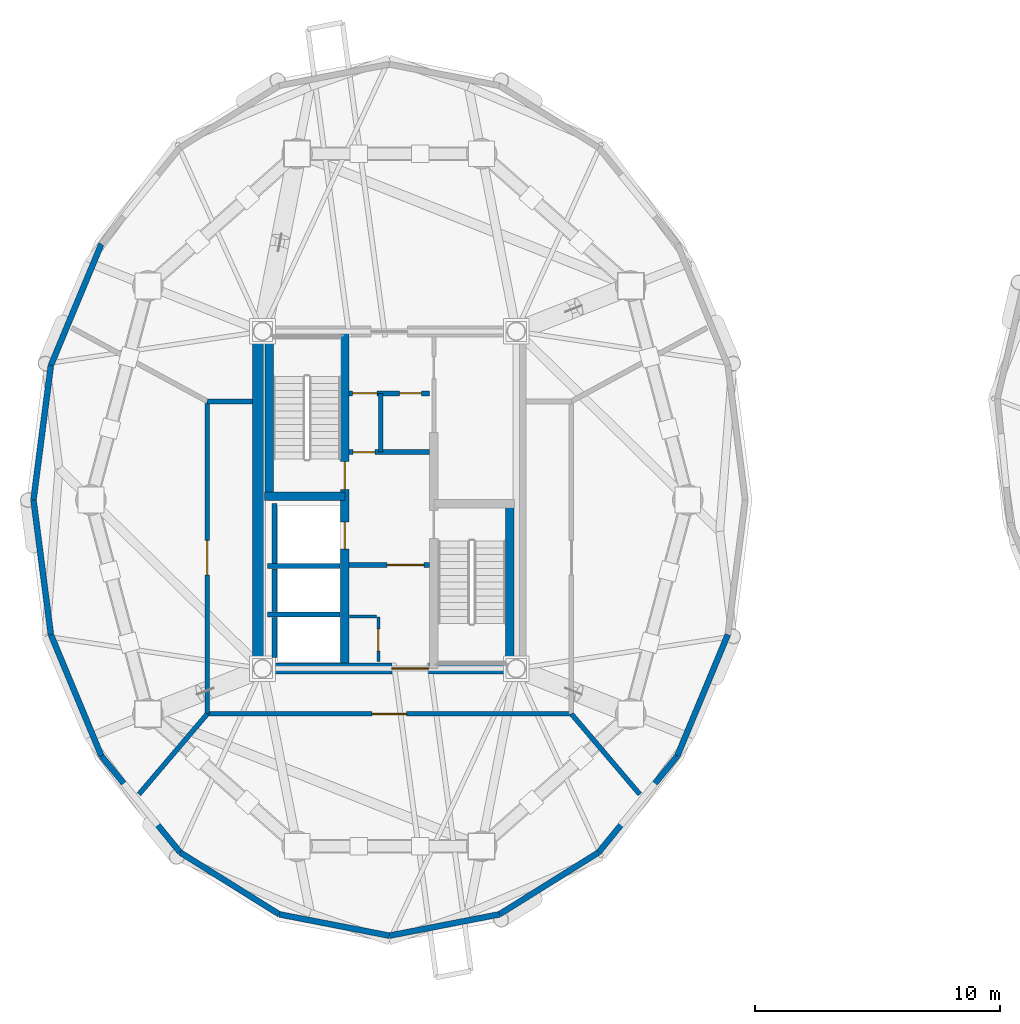
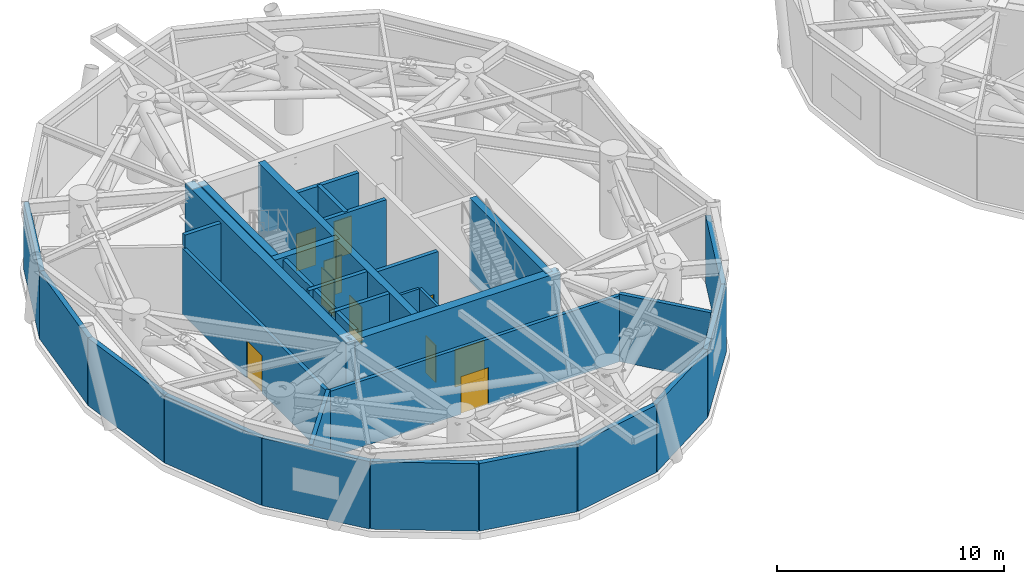
# One storey, part 10 of 16: 33 walls, 10 doors, 10 openings.
"""IFC4 building model written with IfcOpenShell, lengths in metres."""

import ifcopenshell
import ifcopenshell.guid

model = None  # the IFC model being written
_history = None  # IfcOwnerHistory: only IFC2X3 demands one
_inside = {}  # id of a spatial element -> (the spatial element, [elements in it])
_under = {}  # id of a project, library or spatial element -> (it, [spatial elements below it])
_declared = {}  # id of a project -> (the project, [libraries it declares])
_typed = {}  # id of a type object -> (the type object, [elements of that type])
_made_of = {}  # id of a material, layer set ... -> (it, [elements and type objects made of it])


def new_model(schema):
    """Start an empty IFC model of exactly this schema.

    Asked for "IFC4X3", IfcOpenShell would pick the latest addendum, in which some entities
    have other attributes; the version numbers below select the first issue.
    IFC2X3 requires an IfcOwnerHistory on every rooted entity: one is made here for all.
    """
    global model, _history
    if schema == "IFC4X3":
        model = ifcopenshell.file(schema_version=(4, 3, 0, 0))
    else:
        model = ifcopenshell.file(schema=schema)
    _inside.clear()
    _under.clear()
    _declared.clear()
    _typed.clear()
    _made_of.clear()
    _history = None
    if model.schema == "IFC2X3":
        org = make("IfcOrganization", Name="unknown")
        user = make(
            "IfcPersonAndOrganization",
            ThePerson=make("IfcPerson", FamilyName="unknown"),
            TheOrganization=org,
        )
        app = make(
            "IfcApplication",
            ApplicationDeveloper=org,
            Version="unknown",
            ApplicationFullName="unknown",
            ApplicationIdentifier="unknown",
        )
        _history = make(
            "IfcOwnerHistory",
            OwningUser=user,
            OwningApplication=app,
            ChangeAction="ADDED",
            CreationDate=0,
        )
    return model


def make(cls, **values):
    """One entity of the class cls with the attributes given. An attribute that is None is left unset."""
    return model.create_entity(
        cls, **{name: value for name, value in values.items() if value is not None}
    )


def rooted(cls, **values):
    """An entity with a GlobalId (a new one), such as an element, a storey or a relation."""
    return make(cls, GlobalId=ifcopenshell.guid.new(), OwnerHistory=_history, **values)


def si_unit(unit_type, name, prefix=None):
    """IfcSIUnit, for example si_unit("LENGTHUNIT", "METRE", prefix="MILLI")."""
    return make("IfcSIUnit", UnitType=unit_type, Prefix=prefix, Name=name)


def assignment(units):
    """IfcUnitAssignment: the units of a project."""
    return None if units is None else make("IfcUnitAssignment", Units=units)


def point(xyz):
    """IfcCartesianPoint."""
    return None if xyz is None else make("IfcCartesianPoint", Coordinates=xyz)


def direction(xyz):
    """IfcDirection."""
    return None if xyz is None else make("IfcDirection", DirectionRatios=xyz)


def frame(location, z_axis=None, x_axis=None):
    """IfcAxis2Placement3D, a coordinate frame: its origin and axes. An axis left out is left unset."""
    return make(
        "IfcAxis2Placement3D",
        Location=point(location),
        Axis=direction(z_axis),
        RefDirection=direction(x_axis),
    )


def frame_2d(location, x_axis=None):
    """IfcAxis2Placement2D, a coordinate frame in the plane: its origin and x axis."""
    return make(
        "IfcAxis2Placement2D", Location=point(location), RefDirection=direction(x_axis)
    )


def origin():
    """The frame at (0, 0, 0) with its axes left unset."""
    return frame((0.0, 0.0, 0.0))


def place(relative_to, where):
    """IfcLocalPlacement: puts the frame where relative to a parent placement (None: the world)."""
    return make(
        "IfcLocalPlacement", PlacementRelTo=relative_to, RelativePlacement=where
    )


def context(
    kind, dimensions, precision=None, world=None, true_north=None, identifier=None
):
    """IfcGeometricRepresentationContext, for example the 3D "Model" context."""
    return make(
        "IfcGeometricRepresentationContext",
        ContextIdentifier=identifier,
        ContextType=kind,
        CoordinateSpaceDimension=dimensions,
        Precision=precision,
        WorldCoordinateSystem=world,
        TrueNorth=true_north,
    )


def subcontext(parent, identifier, kind, view, scale=None):
    """IfcGeometricRepresentationSubContext, for example "Body" below "Model"."""
    return make(
        "IfcGeometricRepresentationSubContext",
        ContextIdentifier=identifier,
        ContextType=kind,
        ParentContext=parent,
        TargetScale=scale,
        TargetView=view,
    )


def project(units=None, contexts=None):
    """IfcProject with its units and contexts."""
    return rooted(
        "IfcProject",
        Name="project",
        RepresentationContexts=contexts,
        UnitsInContext=assignment(units),
    )


def spatial(cls, under=None, at=None, **own):
    """A site, building, storey or space (cls), placed at a placement, below another one or the project."""
    s = rooted(cls, ObjectPlacement=at, **own)
    if under is not None:
        _under.setdefault(under.id(), (under, []))[1].append(s)
    return s


def profile(cls, at=None, kind="AREA", **sizes):
    """A parametric profile (cls). Its sizes go by their IFC names, for example OverallWidth=200.0."""
    return make(cls, ProfileType=kind, Position=at, **sizes)


def rectangle(**sizes):
    """IfcRectangleProfileDef."""
    return profile("IfcRectangleProfileDef", **sizes)


def extrude(swept, where, along, depth):
    """IfcExtrudedAreaSolid: the profile swept, set in the frame where, extruded along a direction by depth."""
    return make(
        "IfcExtrudedAreaSolid",
        SweptArea=swept,
        Position=where,
        ExtrudedDirection=direction(along),
        Depth=depth,
    )


def shape(context_of_items, identifier, shape_type, items):
    """IfcShapeRepresentation: the items that make up one representation, for example the "Body"."""
    return make(
        "IfcShapeRepresentation",
        ContextOfItems=context_of_items,
        RepresentationIdentifier=identifier,
        RepresentationType=shape_type,
        Items=items,
    )


def source(mapping_origin, context_of_items, identifier, shape_type, items):
    """IfcRepresentationMap: a shape defined once, which mapped items show again and again."""
    return make(
        "IfcRepresentationMap",
        MappingOrigin=mapping_origin,
        MappedRepresentation=shape(context_of_items, identifier, shape_type, items),
    )


def transform(
    local_origin,
    x_axis=None,
    y_axis=None,
    z_axis=None,
    scale=None,
    scale2=None,
    scale3=None,
    uniform=True,
):
    """IfcCartesianTransformationOperator3D, or its non-uniform kind. x_axis, y_axis, z_axis: its Axis1, 2, 3."""
    if uniform:
        return make(
            "IfcCartesianTransformationOperator3D",
            Axis1=direction(x_axis),
            Axis2=direction(y_axis),
            LocalOrigin=point(local_origin),
            Scale=scale,
            Axis3=direction(z_axis),
        )
    return make(
        "IfcCartesianTransformationOperator3DnonUniform",
        Axis1=direction(x_axis),
        Axis2=direction(y_axis),
        LocalOrigin=point(local_origin),
        Scale=scale,
        Axis3=direction(z_axis),
        Scale2=scale2,
        Scale3=scale3,
    )


def mapped(mapping_source, mapping_target):
    """IfcMappedItem: shows the shape of a source again, moved by a transform."""
    return make(
        "IfcMappedItem", MappingSource=mapping_source, MappingTarget=mapping_target
    )


def material(Name=None, Category=None):
    """IfcMaterial."""
    return make("IfcMaterial", Name=Name, Category=Category)


def layer(
    of_material, thickness, ventilated=None, Name=None, Category=None, Priority=None
):
    """IfcMaterialLayer: one layer of a wall or slab, of a material (None: an air gap)."""
    return make(
        "IfcMaterialLayer",
        Material=of_material,
        LayerThickness=thickness,
        IsVentilated=ventilated,
        Name=Name,
        Category=Category,
        Priority=Priority,
    )


def layer_set(layers, Name=None):
    """IfcMaterialLayerSet."""
    return make("IfcMaterialLayerSet", MaterialLayers=layers, LayerSetName=Name)


def made_of(thing, what):
    """Note that an element or type object is made of a material, layer set ...; save() writes the relation."""
    if what is not None:
        _made_of.setdefault(what.id(), (what, []))[1].append(thing)
    return thing


def type_object(cls, material=None, **own):
    """A type object (cls), such as IfcWallType, which elements share."""
    return made_of(rooted(cls, **own), material)


def element(
    cls,
    number,
    at=None,
    inside=None,
    cuts=None,
    type_object=None,
    material=None,
    context=None,
    identifier="Body",
    shape_type=None,
    held_by="IfcProductDefinitionShape",
    body=None,
    shapes=None,
    **own,
):
    """One element of the class cls, such as IfcWall. Its Tag is "e" and its number.

    at: its placement. inside: the storey or other place that contains it. cuts: it is an
    opening in that element (IfcRelVoidsElement). A single representation is given by context,
    identifier, shape_type and body (its items); several are given by shapes. held_by: the class
    of the entity that holds the representations. save() writes the other relations.
    """
    e = rooted(cls, Tag="e%d" % number, ObjectPlacement=at, **own)
    if body is not None:
        shapes = [shape(context, identifier, shape_type, body)]
    if shapes is not None:
        e.Representation = make(held_by, Representations=shapes)
    if inside is not None:
        _inside.setdefault(inside.id(), (inside, []))[1].append(e)
    if cuts is not None:
        rooted(
            "IfcRelVoidsElement", RelatingBuildingElement=cuts, RelatedOpeningElement=e
        )
    if type_object is not None:
        _typed.setdefault(type_object.id(), (type_object, []))[1].append(e)
    return made_of(e, material)


def fill(opening, filler):
    """IfcRelFillsElement: the door or window that sits in an opening."""
    return rooted(
        "IfcRelFillsElement",
        RelatingOpeningElement=opening,
        RelatedBuildingElement=filler,
    )


def aggregate(whole, parts):
    """IfcRelAggregates: a whole, such as a stair, and the parts it consists of."""
    return rooted("IfcRelAggregates", RelatingObject=whole, RelatedObjects=parts)


def save(model, path):
    """Write the relations noted so far, then the file.

    IfcRelAggregates (storeys below a building ...), IfcRelContainedInSpatialStructure (elements
    in a storey), IfcRelDefinesByType, IfcRelAssociatesMaterial and IfcRelDeclares: one each for
    every whole, place, type object, material and project.
    """
    for whole, parts in _under.values():
        aggregate(whole, parts)
    for where, things in _inside.values():
        rooted(
            "IfcRelContainedInSpatialStructure",
            RelatedElements=things,
            RelatingStructure=where,
        )
    for kind, things in _typed.values():
        rooted("IfcRelDefinesByType", RelatedObjects=things, RelatingType=kind)
    for what, things in _made_of.values():
        rooted("IfcRelAssociatesMaterial", RelatedObjects=things, RelatingMaterial=what)
    for by, libraries in _declared.values():
        rooted("IfcRelDeclares", RelatingContext=by, RelatedDefinitions=libraries)
    model.write(path)


model = new_model("IFC4")

# Units and contexts
model_context = context("Model", 3, precision=1e-05, world=origin(), true_north=direction((0.0, 1.0)))
body_context = subcontext(model_context, "Body", "Model", "MODEL_VIEW")
ifc_project = project(units=[si_unit("LENGTHUNIT", "METRE"), si_unit("AREAUNIT", "SQUARE_METRE"), si_unit("VOLUMEUNIT", "CUBIC_METRE"), si_unit("PLANEANGLEUNIT", "RADIAN"), si_unit("MASSUNIT", "GRAM", prefix="KILO")], contexts=[model_context])

# Site, building, storey
site_placement = place(None, origin())
site = spatial("IfcSite", under=ifc_project, at=site_placement, CompositionType="ELEMENT")
building_placement = place(site_placement, origin())
building = spatial("IfcBuilding", under=site, at=building_placement, Name="Cununo Teusaquillo Station Towers", CompositionType="ELEMENT")
storey_placement = place(building_placement, frame((0.0, 0.0, 147.10009765625)))
storey = spatial("IfcBuildingStorey", under=building, at=storey_placement, Name="L46", CompositionType="ELEMENT", Elevation=147.10009765625)

# Walls
ifc_material_1 = material(Name="Concrete C50/60", Category="concrete")
ifc_layer_1 = layer(ifc_material_1, 0.199951171875)
ifc_layer_set_1 = layer_set([ifc_layer_1], Name="Concrete C50/60")
wall_type_1 = type_object("IfcWallType", Name="WL-CORE-200", PredefinedType="SHEAR", material=ifc_layer_set_1)
wall_1_placement = place(storey_placement, frame((11.52001953125, 21.800048828125, 0.0), z_axis=(0.0, 0.0, 1.0), x_axis=(1.0, 0.0, 0.0)))
element("IfcWall", 1, at=wall_1_placement, inside=storey, type_object=wall_type_1, Name="L46 Tower A Firefighting Lift Shaft South Shear Wall", PredefinedType="SHEAR", context=body_context, shape_type="SweptSolid", body=[
    extrude(rectangle(XDim=2.969970703125, YDim=0.199951171875, at=frame_2d((1.48486328125, 0.0))), origin(), (0.0, 0.0, 1.0), 4.5),
])
wall_2_placement = place(storey_placement, frame((11.820068359375, 21.919921875, 0.0), z_axis=(0.0, 0.0, 1.0), x_axis=(0.0, 1.0, 0.0)))
element("IfcWall", 2, at=wall_2_placement, inside=storey, type_object=wall_type_1, Name="L46 Tower A Firefighting Lift Shaft Rear Shear Wall", PredefinedType="SHEAR", context=body_context, shape_type="SweptSolid", body=[
    extrude(rectangle(XDim=2.440185546875, YDim=0.199951171875, at=frame_2d((1.22021484375, 0.0))), origin(), (0.0, 0.0, 1.0), 4.5),
])
wall_3_placement = place(storey_placement, frame((11.52001953125, 19.824951171875, 0.0), z_axis=(0.0, 0.0, 1.0), x_axis=(1.0, 0.0, 0.0)))
element("IfcWall", 3, at=wall_3_placement, inside=storey, type_object=wall_type_1, Name="L46 Tower A High-Rise Lift Hoistway Divider Shear Wall", PredefinedType="SHEAR", context=body_context, shape_type="SweptSolid", body=[
    extrude(rectangle(XDim=2.969970703125, YDim=0.199951171875, at=frame_2d((1.48486328125, 0.0))), origin(), (0.0, 0.0, 1.0), 4.5),
])
wall_4_placement = place(storey_placement, frame((11.820068359375, 19.945068359375, 0.0), z_axis=(0.0, 0.0, 1.0), x_axis=(0.0, 1.0, 0.0)))
element("IfcWall", 4, at=wall_4_placement, inside=storey, type_object=wall_type_1, Name="L46 Tower A High-Rise Lift 2 Shaft Rear Shear Wall", PredefinedType="SHEAR", context=body_context, shape_type="SweptSolid", body=[
    extrude(rectangle(XDim=1.73486328125, YDim=0.199951171875, at=frame_2d((0.867431640625, 0.0))), origin(), (0.0, 0.0, 1.0), 4.5),
])
wall_5_placement = place(storey_placement, frame((11.820068359375, 18.070068359375, 0.0), z_axis=(0.0, 0.0, 1.0), x_axis=(0.0, 1.0, 0.0)))
element("IfcWall", 5, at=wall_5_placement, inside=storey, type_object=wall_type_1, Name="L46 Tower A High-Rise Lift 1 Shaft Rear Shear Wall", PredefinedType="SHEAR", context=body_context, shape_type="SweptSolid", body=[
    extrude(rectangle(XDim=1.635009765625, YDim=0.199951171875, at=frame_2d((0.8173828125, 0.0))), origin(), (0.0, 0.0, 1.0), 4.5),
])

# Wall, openings, doors
ifc_material_2 = material(Name="Concrete C50/60", Category="concrete")
ifc_layer_2 = layer(ifc_material_2, 0.35009765625)
ifc_layer_set_2 = layer_set([ifc_layer_2], Name="Concrete C50/60")
wall_type_2 = type_object("IfcWallType", Name="WL-CORE-350", PredefinedType="SHEAR", material=ifc_layer_set_2)
wall_6_placement = place(storey_placement, frame((14.68505859375, 17.625, 0.0), z_axis=(0.0, 0.0, 1.0), x_axis=(0.0, 1.0, 0.0)))
wall_6 = element("IfcWall", 6, at=wall_6_placement, inside=storey, type_object=wall_type_2, Name="L46 Tower A Core Shear Wall IW", PredefinedType="SHEAR", context=body_context, shape_type="SweptSolid", body=[
    extrude(rectangle(XDim=13.75, YDim=0.35009765625, at=frame_2d((6.875, 0.0))), origin(), (0.0, 0.0, 1.0), 4.5),
])
shared_shape_1 = source(origin(), body_context, "Body", "SweptSolid", [
    extrude(rectangle(XDim=1.10009765625, YDim=2.014892578125, at=frame_2d((0.550048828125, 1.00732421875))), frame((0.0, 0.18505859375, 0.0), z_axis=(0.0, -1.0, 0.0), x_axis=(1.0, 0.0, 0.0)), (0.0, 0.0, 1.0), 0.3701171875),
])
opening_1_placement = place(wall_6_placement, frame((4.875, 0.0, 0.0)))
opening_1 = element("IfcOpeningElement", 7, at=opening_1_placement, cuts=wall_6, Name="Opening LD-01", PredefinedType="OPENING", context=body_context, shape_type="MappedRepresentation", body=[
    mapped(shared_shape_1, transform((0.0, 0.0, 0.0), x_axis=(1.0, 0.0, 0.0), y_axis=(0.0, 1.0, 0.0), z_axis=(0.0, 0.0, 1.0), scale=1.0)),
])
shared_shape_2 = source(origin(), body_context, "Body", "SweptSolid", [
    extrude(rectangle(XDim=1.14990234375, YDim=2.02001953125, at=frame_2d((0.574951171875, 1.010009765625))), frame((0.0, 0.18505859375, 0.0), z_axis=(0.0, -1.0, 0.0), x_axis=(1.0, 0.0, 0.0)), (0.0, 0.0, 1.0), 0.3701171875),
])
opening_2_placement = place(wall_6_placement, frame((7.294921875, 0.0, 0.0)))
opening_2 = element("IfcOpeningElement", 8, at=opening_2_placement, cuts=wall_6, Name="Opening D-ST1", PredefinedType="OPENING", context=body_context, shape_type="MappedRepresentation", body=[
    mapped(shared_shape_2, transform((0.0, 0.0, 0.0), x_axis=(1.0, 0.0, 0.0), y_axis=(0.0, 1.0, 0.0), z_axis=(0.0, 0.0, 1.0), scale=1.0)),
])
ifc_material_3 = material(Name="Galvanised fire-rated hollow steel door assembly", Category="steel")
door_type_1 = type_object("IfcDoorType", Name="DR-LIFT-1100", OperationType="SLIDING_TO_LEFT", PredefinedType="DOOR", material=ifc_material_3)
shared_shape_3 = source(origin(), body_context, "Body", "SweptSolid", [
    extrude(rectangle(XDim=1.10009765625, YDim=2.014892578125, at=frame_2d((0.550048828125, 1.00732421875))), frame((0.0, 0.02490234375, 0.0), z_axis=(0.0, -1.0, 0.0), x_axis=(1.0, 0.0, 0.0)), (0.0, 0.0, 1.0), 0.050048828125),
])
door_1_placement = place(opening_1_placement, origin())
door_1 = element("IfcDoor", 9, at=door_1_placement, inside=storey, type_object=door_type_1, Name="L46 Lift FL-T1 Sliding Landing Door", OperationType="SLIDING_TO_LEFT", OverallHeight=2.014892578125, OverallWidth=1.10009765625, PredefinedType="DOOR", context=body_context, shape_type="MappedRepresentation", body=[
    mapped(shared_shape_3, transform((0.0, 0.0, 0.0), x_axis=(1.0, 0.0, 0.0), y_axis=(0.0, 1.0, 0.0), z_axis=(0.0, 0.0, 1.0), scale=1.0)),
])
fill(opening_1, door_1)
ifc_material_4 = material(Name="Galvanised fire-rated hollow steel door assembly", Category="steel")
door_type_2 = type_object("IfcDoorType", Name="DR-STAIR-1150", OperationType="NOTDEFINED", PredefinedType="DOOR", material=ifc_material_4)
shared_shape_4 = source(origin(), body_context, "Body", "SweptSolid", [
    extrude(rectangle(XDim=1.14990234375, YDim=2.02001953125, at=frame_2d((0.574951171875, 1.010009765625))), frame((0.0, 0.02490234375, 0.0), z_axis=(0.0, -1.0, 0.0), x_axis=(1.0, 0.0, 0.0)), (0.0, 0.0, 1.0), 0.050048828125),
])
door_2_placement = place(opening_2_placement, origin())
door_2 = element("IfcDoor", 10, at=door_2_placement, inside=storey, type_object=door_type_2, Name="L46 Tower A Exit Stair 1 Fire Door", OperationType="SINGLE_SWING_RIGHT", OverallHeight=2.02001953125, OverallWidth=1.14990234375, PredefinedType="DOOR", context=body_context, shape_type="MappedRepresentation", body=[
    mapped(shared_shape_4, transform((0.0, 0.0, 0.0), x_axis=(1.0, 0.0, 0.0), y_axis=(0.0, 1.0, 0.0), z_axis=(0.0, 0.0, 1.0), scale=1.0)),
])
fill(opening_2, door_2)

# Walls
wall_7_placement = place(storey_placement, frame((11.594970703125, 24.655029296875, 0.0), z_axis=(0.0, 0.0, 1.0), x_axis=(0.0, 1.0, 0.0)))
element("IfcWall", 11, at=wall_7_placement, inside=storey, type_object=wall_type_2, Name="L46 Tower A Core Shear Wall ST1W", PredefinedType="SHEAR", context=body_context, shape_type="SweptSolid", body=[
    extrude(rectangle(XDim=6.719970703125, YDim=0.35009765625, at=frame_2d((3.35986328125, 0.0))), origin(), (0.0, 0.0, 1.0), 4.5),
])
wall_8_placement = place(storey_placement, frame((11.39990234375, 24.655029296875, 0.0), z_axis=(0.0, 0.0, 1.0), x_axis=(1.0, 0.0, 0.0)))
element("IfcWall", 12, at=wall_8_placement, inside=storey, type_object=wall_type_2, Name="L46 Tower A Core Shear Wall ST1S", PredefinedType="SHEAR", context=body_context, shape_type="SweptSolid", body=[
    extrude(rectangle(XDim=3.28515625, YDim=0.35009765625, at=frame_2d((1.642578125, 0.0))), origin(), (0.0, 0.0, 1.0), 4.5),
])
wall_9_placement = place(storey_placement, frame((21.405029296875, 17.625, 0.0), z_axis=(0.0, 0.0, 1.0), x_axis=(0.0, 1.0, 0.0)))
element("IfcWall", 13, at=wall_9_placement, inside=storey, type_object=wall_type_2, Name="L46 Tower A Core Shear Wall ST2E", PredefinedType="SHEAR", context=body_context, shape_type="SweptSolid", body=[
    extrude(rectangle(XDim=6.719970703125, YDim=0.35009765625, at=frame_2d((3.35986328125, 0.0))), origin(), (0.0, 0.0, 1.0), 4.5),
])
ifc_material_5 = material(Name="Concrete C60/75", Category="concrete")
ifc_layer_3 = layer(ifc_material_5, 0.449951171875)
ifc_layer_set_3 = layer_set([ifc_layer_3], Name="Concrete C60/75")
wall_type_3 = type_object("IfcWallType", Name="WL-CORE-450", PredefinedType="SHEAR", material=ifc_layer_set_3)
wall_10_placement = place(storey_placement, frame((11.14990234375, 17.39990234375, 0.0), z_axis=(0.0, 0.0, 1.0), x_axis=(0.0, 1.0, 0.0)))
element("IfcWall", 14, at=wall_10_placement, inside=storey, type_object=wall_type_3, Name="L46 Tower A Core Shear Wall W", PredefinedType="SHEAR", context=body_context, shape_type="SweptSolid", body=[
    extrude(rectangle(XDim=14.2001953125, YDim=0.449951171875, at=frame_2d((7.10009765625, 0.0))), origin(), (0.0, 0.0, 1.0), 4.5),
])

# Wall, opening, door
wall_11_placement = place(storey_placement, frame((11.14990234375, 17.625, 0.0), z_axis=(0.0, 0.0, 1.0), x_axis=(1.0, 0.0, 0.0)))
wall_11 = element("IfcWall", 15, at=wall_11_placement, inside=storey, type_object=wall_type_3, Name="L46 Tower A Core Shear Wall S", PredefinedType="SHEAR", context=body_context, shape_type="SweptSolid", body=[
    extrude(rectangle(XDim=10.7001953125, YDim=0.449951171875, at=frame_2d((5.35009765625, 0.0))), origin(), (0.0, 0.0, 1.0), 4.5),
])
shared_shape_5 = source(origin(), body_context, "Body", "SweptSolid", [
    extrude(rectangle(XDim=1.5, YDim=2.02001953125, at=frame_2d((0.75, 1.010009765625))), frame((0.0, 0.23486328125, 0.0), z_axis=(0.0, -1.0, 0.0), x_axis=(1.0, 0.0, 0.0)), (0.0, 0.0, 1.0), 0.469970703125),
])
opening_3_placement = place(wall_11_placement, frame((5.449951171875, 0.0, 0.0)))
opening_3 = element("IfcOpeningElement", 16, at=opening_3_placement, cuts=wall_11, Name="Opening D-LB1", PredefinedType="OPENING", context=body_context, shape_type="MappedRepresentation", body=[
    mapped(shared_shape_5, transform((0.0, 0.0, 0.0), x_axis=(1.0, 0.0, 0.0), y_axis=(0.0, 1.0, 0.0), z_axis=(0.0, 0.0, 1.0), scale=1.0)),
])
ifc_material_6 = material(Name="Galvanised fire-rated hollow steel door assembly", Category="steel")
door_type_3 = type_object("IfcDoorType", Name="DR-LOBBY-1500", OperationType="DOUBLE_DOOR_SINGLE_SWING", PredefinedType="DOOR", material=ifc_material_6)
shared_shape_6 = source(origin(), body_context, "Body", "SweptSolid", [
    extrude(rectangle(XDim=1.5, YDim=2.02001953125, at=frame_2d((0.75, 1.010009765625))), frame((0.0, 0.02490234375, 0.0), z_axis=(0.0, -1.0, 0.0), x_axis=(1.0, 0.0, 0.0)), (0.0, 0.0, 1.0), 0.050048828125),
])
door_3_placement = place(opening_3_placement, origin())
door_3 = element("IfcDoor", 17, at=door_3_placement, inside=storey, type_object=door_type_3, Name="L46 Tower A South Core Lift Lobby Door", OperationType="DOUBLE_DOOR_SINGLE_SWING", OverallHeight=2.02001953125, OverallWidth=1.5, PredefinedType="DOOR", context=body_context, shape_type="MappedRepresentation", body=[
    mapped(shared_shape_6, transform((0.0, 0.0, 0.0), x_axis=(1.0, 0.0, 0.0), y_axis=(0.0, 1.0, 0.0), z_axis=(0.0, 0.0, 1.0), scale=1.0)),
])
fill(opening_3, door_3)

# Walls
ifc_material_7 = material(Name="Precast concrete C40/50", Category="concrete")
ifc_layer_4 = layer(ifc_material_7, 0.239990234375)
ifc_layer_set_4 = layer_set([ifc_layer_4], Name="Precast concrete C40/50")
wall_type_4 = type_object("IfcWallType", Name="WL-EXT-240", PredefinedType="SOLIDWALL", material=ifc_layer_set_4)
wall_12_placement = place(storey_placement, frame((2.6953125, 29.9912109375, 0.0), z_axis=(0.0, 0.0, 1.0), x_axis=(0.384259959969, 0.923224936386, 0.0)))
element("IfcWall", 18, at=wall_12_placement, inside=storey, type_object=wall_type_4, Name="L46 Tower A Exterior Facade Wall C08", PredefinedType="SOLIDWALL", context=body_context, shape_type="SweptSolid", body=[
    extrude(rectangle(XDim=5.365478515625, YDim=0.239990234375, at=frame_2d((2.6826171875, 0.0))), origin(), (0.0, 0.0, 1.0), 3.635986328125),
])
for number, where, z_axis, x_axis, name in (
    (19, (1.985107421875, 24.5, 0.0), (0.0, 0.0, 1.0), (0.128266533912, 0.991739732126, 0.0), "L46 Tower A Exterior Facade Wall C09"),
    (20, (2.6953125, 19.0087890625, 0.0), (0.0, 0.0, 1.0), (-0.128266533912, 0.991739732126, 0.0), "L46 Tower A Exterior Facade Wall C10"),
):
    element("IfcWall", number, at=place(storey_placement, frame(where, z_axis=z_axis, x_axis=x_axis)), inside=storey, type_object=wall_type_4, Name=name, PredefinedType="SOLIDWALL", context=body_context, shape_type="SweptSolid", body=[
        extrude(rectangle(XDim=5.536865234375, YDim=0.239990234375, at=frame_2d((2.7685546875, 0.0))), origin(), (0.0, 0.0, 1.0), 3.635986328125),
    ])
wall_13_placement = place(storey_placement, frame((4.757080078125, 14.05517578125, 0.0), z_axis=(0.0, 0.0, 1.0), x_axis=(-0.384259959969, 0.923224936386, 0.0)))
element("IfcWall", 21, at=wall_13_placement, inside=storey, type_object=wall_type_4, Name="L46 Tower A Exterior Facade Wall C11", PredefinedType="SOLIDWALL", context=body_context, shape_type="SweptSolid", body=[
    extrude(rectangle(XDim=5.365478515625, YDim=0.239990234375, at=frame_2d((2.6826171875, 0.0))), origin(), (0.0, 0.0, 1.0), 3.635986328125),
])
wall_14_placement = place(storey_placement, frame((7.96826171875, 10.123779296875, 0.0), z_axis=(0.0, 0.0, 1.0), x_axis=(-0.632598524901, 0.774479894053, 0.0)))
element("IfcWall", 22, at=wall_14_placement, inside=storey, type_object=wall_type_4, Name="L46 Tower A Exterior Facade Wall C12", PredefinedType="SOLIDWALL", context=body_context, shape_type="SweptSolid", body=[
    extrude(rectangle(XDim=5.076171875, YDim=0.239990234375, at=frame_2d((2.5380859375, 0.0))), origin(), (0.0, 0.0, 1.0), 3.635986328125),
])
wall_15_placement = place(storey_placement, frame((12.0146484375, 7.599609375, 0.0), z_axis=(0.0, 0.0, 1.0), x_axis=(-0.848452391194, 0.529271707044, 0.0)))
element("IfcWall", 23, at=wall_15_placement, inside=storey, type_object=wall_type_4, Name="L46 Tower A Exterior Facade Wall C13", PredefinedType="SOLIDWALL", context=body_context, shape_type="SweptSolid", body=[
    extrude(rectangle(XDim=4.76904296875, YDim=0.239990234375, at=frame_2d((2.384521484375, 0.0))), origin(), (0.0, 0.0, 1.0), 3.635986328125),
])
for number, where, z_axis, x_axis, name in (
    (24, (16.5, 6.72998046875, 0.0), (0.0, 0.0, 1.0), (-0.981718699963, 0.190337579429, 0.0), "L46 Tower A Exterior Facade Wall C14"),
    (25, (20.9853515625, 7.599609375, 0.0), (0.0, 0.0, 1.0), (-0.981718699963, -0.190337579429, 0.0), "L46 Tower A Exterior Facade Wall C15"),
):
    element("IfcWall", number, at=place(storey_placement, frame(where, z_axis=z_axis, x_axis=x_axis)), inside=storey, type_object=wall_type_4, Name=name, PredefinedType="SOLIDWALL", context=body_context, shape_type="SweptSolid", body=[
        extrude(rectangle(XDim=4.56884765625, YDim=0.239990234375, at=frame_2d((2.284423828125, 0.0))), origin(), (0.0, 0.0, 1.0), 3.635986328125),
    ])
wall_16_placement = place(storey_placement, frame((25.03173828125, 10.123779296875, 0.0), z_axis=(0.0, 0.0, 1.0), x_axis=(-0.848452391194, -0.529271707044, 0.0)))
element("IfcWall", 26, at=wall_16_placement, inside=storey, type_object=wall_type_4, Name="L46 Tower A Exterior Facade Wall C16", PredefinedType="SOLIDWALL", context=body_context, shape_type="SweptSolid", body=[
    extrude(rectangle(XDim=4.76904296875, YDim=0.239990234375, at=frame_2d((2.384521484375, 0.0))), origin(), (0.0, 0.0, 1.0), 3.635986328125),
])
wall_17_placement = place(storey_placement, frame((28.242919921875, 14.05517578125, 0.0), z_axis=(0.0, 0.0, 1.0), x_axis=(-0.632598524901, -0.774479894053, 0.0)))
element("IfcWall", 27, at=wall_17_placement, inside=storey, type_object=wall_type_4, Name="L46 Tower A Exterior Facade Wall C17", PredefinedType="SOLIDWALL", context=body_context, shape_type="SweptSolid", body=[
    extrude(rectangle(XDim=5.076171875, YDim=0.239990234375, at=frame_2d((2.5380859375, 0.0))), origin(), (0.0, 0.0, 1.0), 3.635986328125),
])
wall_18_placement = place(storey_placement, frame((30.3046875, 19.0087890625, 0.0), z_axis=(0.0, 0.0, 1.0), x_axis=(-0.384259959969, -0.923224936386, 0.0)))
element("IfcWall", 28, at=wall_18_placement, inside=storey, type_object=wall_type_4, Name="L46 Tower A Exterior Facade Wall C18", PredefinedType="SOLIDWALL", context=body_context, shape_type="SweptSolid", body=[
    extrude(rectangle(XDim=5.365478515625, YDim=0.239990234375, at=frame_2d((2.6826171875, 0.0))), origin(), (0.0, 0.0, 1.0), 3.635986328125),
])

# Wall, opening, door
ifc_material_8 = material(Name="Fire-rated gypsum plasterboard partition assembly", Category="gypsum")
ifc_layer_5 = layer(ifc_material_8, 0.125)
ifc_layer_set_5 = layer_set([ifc_layer_5], Name="Fire-rated gypsum plasterboard partition assembly")
wall_type_5 = type_object("IfcWallType", Name="WL-PART-125", PredefinedType="PARTITIONING", material=ifc_layer_set_5)
wall_19_placement = place(storey_placement, frame((16.050048828125, 17.919921875, 0.0), z_axis=(0.0, 0.0, 1.0), x_axis=(0.0, 1.0, 0.0)))
wall_19 = element("IfcWall", 29, at=wall_19_placement, inside=storey, type_object=wall_type_5, Name="L46 Tower A South-West Compact Store East Wall", PredefinedType="PARTITIONING", context=body_context, shape_type="SweptSolid", body=[
    extrude(rectangle(XDim=1.800048828125, YDim=0.125, at=frame_2d((0.89990234375, 0.0))), origin(), (0.0, 0.0, 1.0), 4.264892578125),
])
shared_shape_7 = source(origin(), body_context, "Body", "SweptSolid", [
    extrude(rectangle(XDim=0.89990234375, YDim=2.0048828125, at=frame_2d((0.449951171875, 1.00244140625))), frame((0.0, 0.072509765625, 0.0), z_axis=(0.0, -1.0, 0.0), x_axis=(1.0, 0.0, 0.0)), (0.0, 0.0, 1.0), 0.14501953125),
])
opening_4_placement = place(wall_19_placement, frame((0.419921875, 0.0, 0.0)))
opening_4 = element("IfcOpeningElement", 30, at=opening_4_placement, cuts=wall_19, Name="Opening D-SR1", PredefinedType="OPENING", context=body_context, shape_type="MappedRepresentation", body=[
    mapped(shared_shape_7, transform((0.0, 0.0, 0.0), x_axis=(1.0, 0.0, 0.0), y_axis=(0.0, 1.0, 0.0), z_axis=(0.0, 0.0, 1.0), scale=1.0)),
])
ifc_material_9 = material(Name="Galvanised fire-rated hollow steel door assembly", Category="steel")
door_type_4 = type_object("IfcDoorType", Name="DR-STORE-900", OperationType="NOTDEFINED", PredefinedType="DOOR", material=ifc_material_9)
shared_shape_8 = source(origin(), body_context, "Body", "SweptSolid", [
    extrude(rectangle(XDim=0.89990234375, YDim=2.0048828125, at=frame_2d((0.449951171875, 1.00244140625))), frame((0.0, 0.02490234375, 0.0), z_axis=(0.0, -1.0, 0.0), x_axis=(1.0, 0.0, 0.0)), (0.0, 0.0, 1.0), 0.050048828125),
])
door_4_placement = place(opening_4_placement, origin())
door_4 = element("IfcDoor", 31, at=door_4_placement, inside=storey, type_object=door_type_4, Name="L46 Tower A Core Electrical & Comms Store Door", OperationType="SINGLE_SWING_RIGHT", OverallHeight=2.0048828125, OverallWidth=0.89990234375, PredefinedType="DOOR", context=body_context, shape_type="MappedRepresentation", body=[
    mapped(shared_shape_8, transform((0.0, 0.0, 0.0), x_axis=(1.0, 0.0, 0.0), y_axis=(0.0, 1.0, 0.0), z_axis=(0.0, 0.0, 1.0), scale=1.0)),
])
fill(opening_4, door_4)

# Wall
wall_20_placement = place(storey_placement, frame((14.8798828125, 19.75, 0.0), z_axis=(0.0, 0.0, 1.0), x_axis=(1.0, 0.0, 0.0)))
element("IfcWall", 32, at=wall_20_placement, inside=storey, type_object=wall_type_5, Name="L46 Tower A South-West Compact Store North Wall", PredefinedType="PARTITIONING", context=body_context, shape_type="SweptSolid", body=[
    extrude(rectangle(XDim=1.10009765625, YDim=0.125, at=frame_2d((0.550048828125, 0.0))), origin(), (0.0, 0.0, 1.0), 4.264892578125),
])

# Wall, opening, door
ifc_material_10 = material(Name="Fire-rated gypsum plasterboard partition assembly", Category="gypsum")
ifc_layer_6 = layer(ifc_material_10, 0.179931640625)
ifc_layer_set_6 = layer_set([ifc_layer_6], Name="Fire-rated gypsum plasterboard partition assembly")
wall_type_6 = type_object("IfcWallType", Name="WL-PART-180", PredefinedType="PARTITIONING", material=ifc_layer_set_6)
wall_21_placement = place(storey_placement, frame((9.074951171875, 15.77490234375, 0.0), z_axis=(0.0, 0.0, 1.0), x_axis=(1.0, 0.0, 0.0)))
wall_21 = element("IfcWall", 33, at=wall_21_placement, inside=storey, type_object=wall_type_6, Name="L46 Tower A Protected Plant Corridor Wall S", PredefinedType="PARTITIONING", context=body_context, shape_type="SweptSolid", body=[
    extrude(rectangle(XDim=14.85009765625, YDim=0.179931640625, at=frame_2d((7.425048828125, 0.0))), origin(), (0.0, 0.0, 1.0), 3.555908203125),
])
shared_shape_9 = source(origin(), body_context, "Body", "SweptSolid", [
    extrude(rectangle(XDim=1.39990234375, YDim=2.02001953125, at=frame_2d((0.699951171875, 1.010009765625))), frame((0.0, 0.099853515625, 0.0), z_axis=(0.0, -1.0, 0.0), x_axis=(1.0, 0.0, 0.0)), (0.0, 0.0, 1.0), 0.199951171875),
])
opening_5_placement = place(wall_21_placement, frame((6.72509765625, 0.0, 0.0)))
opening_5 = element("IfcOpeningElement", 34, at=opening_5_placement, cuts=wall_21, Name="Opening D-PL1", PredefinedType="OPENING", context=body_context, shape_type="MappedRepresentation", body=[
    mapped(shared_shape_9, transform((0.0, 0.0, 0.0), x_axis=(1.0, 0.0, 0.0), y_axis=(0.0, 1.0, 0.0), z_axis=(0.0, 0.0, 1.0), scale=1.0)),
])
ifc_material_11 = material(Name="Galvanised fire-rated hollow steel door assembly", Category="steel")
door_type_5 = type_object("IfcDoorType", Name="DR-PLANT-1400", OperationType="NOTDEFINED", PredefinedType="DOOR", material=ifc_material_11)
shared_shape_10 = source(origin(), body_context, "Body", "SweptSolid", [
    extrude(rectangle(XDim=1.39990234375, YDim=2.02001953125, at=frame_2d((0.699951171875, 1.010009765625))), frame((0.0, 0.02490234375, 0.0), z_axis=(0.0, -1.0, 0.0), x_axis=(1.0, 0.0, 0.0)), (0.0, 0.0, 1.0), 0.050048828125),
])
door_5_placement = place(opening_5_placement, origin())
door_5 = element("IfcDoor", 35, at=door_5_placement, inside=storey, type_object=door_type_5, Name="L46 Tower A Plant Room S Double Door", OperationType="SINGLE_SWING_LEFT", OverallHeight=2.02001953125, OverallWidth=1.39990234375, PredefinedType="DOOR", context=body_context, shape_type="MappedRepresentation", body=[
    mapped(shared_shape_10, transform((0.0, 0.0, 0.0), x_axis=(1.0, 0.0, 0.0), y_axis=(0.0, 1.0, 0.0), z_axis=(0.0, 0.0, 1.0), scale=1.0)),
])
fill(opening_5, door_5)

wall_22_placement = place(storey_placement, frame((9.074951171875, 15.77490234375, 0.0), z_axis=(0.0, 0.0, 1.0), x_axis=(0.0, 1.0, 0.0)))
wall_22 = element("IfcWall", 36, at=wall_22_placement, inside=storey, type_object=wall_type_6, Name="L46 Tower A Protected Plant Corridor Wall W", PredefinedType="PARTITIONING", context=body_context, shape_type="SweptSolid", body=[
    extrude(rectangle(XDim=12.75, YDim=0.179931640625, at=frame_2d((6.375, 0.0))), origin(), (0.0, 0.0, 1.0), 3.555908203125),
])
opening_6_placement = place(wall_22_placement, frame((5.675048828125, 0.0, 0.0)))
opening_6 = element("IfcOpeningElement", 37, at=opening_6_placement, cuts=wall_22, Name="Opening D-PL1", PredefinedType="OPENING", context=body_context, shape_type="MappedRepresentation", body=[
    mapped(shared_shape_9, transform((0.0, 0.0, 0.0), x_axis=(1.0, 0.0, 0.0), y_axis=(0.0, 1.0, 0.0), z_axis=(0.0, 0.0, 1.0), scale=1.0)),
])
door_6_placement = place(opening_6_placement, origin())
door_6 = element("IfcDoor", 38, at=door_6_placement, inside=storey, type_object=door_type_5, Name="L46 Tower A Plant Room W Double Door", OperationType="SINGLE_SWING_RIGHT", OverallHeight=2.02001953125, OverallWidth=1.39990234375, PredefinedType="DOOR", context=body_context, shape_type="MappedRepresentation", body=[
    mapped(shared_shape_10, transform((0.0, 0.0, 0.0), x_axis=(1.0, 0.0, 0.0), y_axis=(0.0, 1.0, 0.0), z_axis=(0.0, 0.0, 1.0), scale=1.0)),
])
fill(opening_6, door_6)

ifc_material_12 = material(Name="Fire-rated gypsum plasterboard partition assembly", Category="gypsum")
ifc_layer_7 = layer(ifc_material_12, 0.199951171875)
ifc_layer_set_7 = layer_set([ifc_layer_7], Name="Fire-rated gypsum plasterboard partition assembly")
wall_type_7 = type_object("IfcWallType", Name="WL-PART-200", PredefinedType="PARTITIONING", material=ifc_layer_set_7)
wall_23_placement = place(storey_placement, frame((14.860107421875, 21.85009765625, 0.0), z_axis=(0.0, 0.0, 1.0), x_axis=(1.0, 0.0, 0.0)))
wall_23 = element("IfcWall", 39, at=wall_23_placement, inside=storey, type_object=wall_type_7, Name="L46 Tower A Firefighting Lift Lobby South Fire Wall", PredefinedType="PARTITIONING", context=body_context, shape_type="SweptSolid", body=[
    extrude(rectangle(XDim=3.27978515625, YDim=0.199951171875, at=frame_2d((1.639892578125, 0.0))), origin(), (0.0, 0.0, 1.0), 4.264892578125),
])
shared_shape_11 = source(origin(), body_context, "Body", "SweptSolid", [
    extrude(rectangle(XDim=1.5, YDim=2.02001953125, at=frame_2d((0.75, 1.010009765625))), frame((0.0, 0.10986328125, 0.0), z_axis=(0.0, -1.0, 0.0), x_axis=(1.0, 0.0, 0.0)), (0.0, 0.0, 1.0), 0.219970703125),
])
opening_7_placement = place(wall_23_placement, frame((1.550048828125, 0.0, 0.0)))
opening_7 = element("IfcOpeningElement", 40, at=opening_7_placement, cuts=wall_23, Name="Opening D-LB1", PredefinedType="OPENING", context=body_context, shape_type="MappedRepresentation", body=[
    mapped(shared_shape_11, transform((0.0, 0.0, 0.0), x_axis=(1.0, 0.0, 0.0), y_axis=(0.0, 1.0, 0.0), z_axis=(0.0, 0.0, 1.0), scale=1.0)),
])
door_7_placement = place(opening_7_placement, origin())
door_7 = element("IfcDoor", 41, at=door_7_placement, inside=storey, type_object=door_type_3, Name="L46 Tower A Firefighting Lift Lobby South Fire Door", OperationType="DOUBLE_DOOR_SINGLE_SWING", OverallHeight=2.02001953125, OverallWidth=1.5, PredefinedType="DOOR", context=body_context, shape_type="MappedRepresentation", body=[
    mapped(shared_shape_6, transform((0.0, 0.0, 0.0), x_axis=(1.0, 0.0, 0.0), y_axis=(0.0, 1.0, 0.0), z_axis=(0.0, 0.0, 1.0), scale=1.0)),
])
fill(opening_7, door_7)

wall_24_placement = place(storey_placement, frame((14.860107421875, 26.449951171875, 0.0), z_axis=(0.0, 0.0, 1.0), x_axis=(1.0, 0.0, 0.0)))
wall_24 = element("IfcWall", 42, at=wall_24_placement, inside=storey, type_object=wall_type_7, Name="L46 Tower A Firefighting Lift Lobby North Fire Wall", PredefinedType="PARTITIONING", context=body_context, shape_type="SweptSolid", body=[
    extrude(rectangle(XDim=3.27978515625, YDim=0.199951171875, at=frame_2d((1.639892578125, 0.0))), origin(), (0.0, 0.0, 1.0), 4.264892578125),
])
shared_shape_12 = source(origin(), body_context, "Body", "SweptSolid", [
    extrude(rectangle(XDim=0.89990234375, YDim=2.0048828125, at=frame_2d((0.449951171875, 1.00244140625))), frame((0.0, 0.10986328125, 0.0), z_axis=(0.0, -1.0, 0.0), x_axis=(1.0, 0.0, 0.0)), (0.0, 0.0, 1.0), 0.219970703125),
])
opening_8_placement = place(wall_24_placement, frame((0.159912109375, 0.0, 0.0)))
opening_8 = element("IfcOpeningElement", 43, at=opening_8_placement, cuts=wall_24, Name="Opening D-SR1", PredefinedType="OPENING", context=body_context, shape_type="MappedRepresentation", body=[
    mapped(shared_shape_12, transform((0.0, 0.0, 0.0), x_axis=(1.0, 0.0, 0.0), y_axis=(0.0, 1.0, 0.0), z_axis=(0.0, 0.0, 1.0), scale=1.0)),
])
door_8_placement = place(opening_8_placement, origin())
door_8 = element("IfcDoor", 44, at=door_8_placement, inside=storey, type_object=door_type_4, Name="L46 Tower A Stair 1 Protected Vestibule South Door", OperationType="SINGLE_SWING_RIGHT", OverallHeight=2.0048828125, OverallWidth=0.89990234375, PredefinedType="DOOR", context=body_context, shape_type="MappedRepresentation", body=[
    mapped(shared_shape_8, transform((0.0, 0.0, 0.0), x_axis=(1.0, 0.0, 0.0), y_axis=(0.0, 1.0, 0.0), z_axis=(0.0, 0.0, 1.0), scale=1.0)),
])
fill(opening_8, door_8)

# Wall
wall_25_placement = place(storey_placement, frame((16.14990234375, 26.449951171875, 0.0), z_axis=(0.0, 0.0, 1.0), x_axis=(0.0, 1.0, 0.0)))
element("IfcWall", 45, at=wall_25_placement, inside=storey, type_object=wall_type_7, Name="L46 Tower A Stair 1 Vestibule Partition Wall", PredefinedType="PARTITIONING", context=body_context, shape_type="SweptSolid", body=[
    extrude(rectangle(XDim=2.400146484375, YDim=0.199951171875, at=frame_2d((1.2001953125, 0.0))), origin(), (0.0, 0.0, 1.0), 4.264892578125),
])

# Wall, openings, doors
wall_26_placement = place(storey_placement, frame((14.860107421875, 28.85009765625, 0.0), z_axis=(0.0, 0.0, 1.0), x_axis=(1.0, 0.0, 0.0)))
wall_26 = element("IfcWall", 46, at=wall_26_placement, inside=storey, type_object=wall_type_7, Name="L46 Tower A North Lift Lobby South Fire Wall", PredefinedType="PARTITIONING", context=body_context, shape_type="SweptSolid", body=[
    extrude(rectangle(XDim=3.27978515625, YDim=0.199951171875, at=frame_2d((1.639892578125, 0.0))), origin(), (0.0, 0.0, 1.0), 4.264892578125),
])
shared_shape_13 = source(origin(), body_context, "Body", "SweptSolid", [
    extrude(rectangle(XDim=1.0, YDim=2.014892578125, at=frame_2d((0.5, 1.00732421875))), frame((0.0, 0.10986328125, 0.0), z_axis=(0.0, -1.0, 0.0), x_axis=(1.0, 0.0, 0.0)), (0.0, 0.0, 1.0), 0.219970703125),
])
opening_9_placement = place(wall_26_placement, frame((0.139892578125, 0.0, 0.0)))
opening_9 = element("IfcOpeningElement", 47, at=opening_9_placement, cuts=wall_26, Name="Opening D-AC1", PredefinedType="OPENING", context=body_context, shape_type="MappedRepresentation", body=[
    mapped(shared_shape_13, transform((0.0, 0.0, 0.0), x_axis=(1.0, 0.0, 0.0), y_axis=(0.0, 1.0, 0.0), z_axis=(0.0, 0.0, 1.0), scale=1.0)),
])
opening_10_placement = place(wall_26_placement, frame((2.050048828125, 0.0, 0.0)))
opening_10 = element("IfcOpeningElement", 48, at=opening_10_placement, cuts=wall_26, Name="Opening D-SR1", PredefinedType="OPENING", context=body_context, shape_type="MappedRepresentation", body=[
    mapped(shared_shape_12, transform((0.0, 0.0, 0.0), x_axis=(1.0, 0.0, 0.0), y_axis=(0.0, 1.0, 0.0), z_axis=(0.0, 0.0, 1.0), scale=1.0)),
])
door_9_placement = place(opening_10_placement, origin())
door_9 = element("IfcDoor", 49, at=door_9_placement, inside=storey, type_object=door_type_4, Name="L46 Tower A Core Housekeeping & Linen Store Door", OperationType="SINGLE_SWING_LEFT", OverallHeight=2.0048828125, OverallWidth=0.89990234375, PredefinedType="DOOR", context=body_context, shape_type="MappedRepresentation", body=[
    mapped(shared_shape_8, transform((0.0, 0.0, 0.0), x_axis=(1.0, 0.0, 0.0), y_axis=(0.0, 1.0, 0.0), z_axis=(0.0, 0.0, 1.0), scale=1.0)),
])
fill(opening_10, door_9)
ifc_material_13 = material(Name="Acoustic solid-core hardwood leaf assembly", Category="wood")
door_type_6 = type_object("IfcDoorType", Name="DR-ACC-1000", OperationType="NOTDEFINED", PredefinedType="DOOR", material=ifc_material_13)
shared_shape_14 = source(origin(), body_context, "Body", "SweptSolid", [
    extrude(rectangle(XDim=1.0, YDim=2.014892578125, at=frame_2d((0.5, 1.00732421875))), frame((0.0, 0.02490234375, 0.0), z_axis=(0.0, -1.0, 0.0), x_axis=(1.0, 0.0, 0.0)), (0.0, 0.0, 1.0), 0.050048828125),
])
door_10_placement = place(opening_9_placement, origin())
door_10 = element("IfcDoor", 50, at=door_10_placement, inside=storey, type_object=door_type_6, Name="L46 Tower A North Lift Lobby to Stair 1 Vestibule Door", OperationType="SINGLE_SWING_LEFT", OverallHeight=2.014892578125, OverallWidth=1.0, PredefinedType="DOOR", context=body_context, shape_type="MappedRepresentation", body=[
    mapped(shared_shape_14, transform((0.0, 0.0, 0.0), x_axis=(1.0, 0.0, 0.0), y_axis=(0.0, 1.0, 0.0), z_axis=(0.0, 0.0, 1.0), scale=1.0)),
])
fill(opening_9, door_10)

# Walls
wall_27_placement = place(storey_placement, frame((9.074951171875, 28.52490234375, 0.0), z_axis=(0.0, 0.0, 1.0), x_axis=(1.0, 0.0, 0.0)))
element("IfcWall", 51, at=wall_27_placement, inside=storey, type_object=wall_type_7, Name="L46 Tower A Sky Refuge Smoke-Stop Wall NW", PredefinedType="PARTITIONING", context=body_context, shape_type="SweptSolid", body=[
    extrude(rectangle(XDim=1.85009765625, YDim=0.199951171875, at=frame_2d((0.925048828125, 0.0))), origin(), (0.0, 0.0, 1.0), 4.264892578125),
])
for number, where, z_axis, x_axis, name in (
    (52, (23.925048828125, 15.77490234375, 0.0), (0.0, 0.0, 1.0), (0.648059850105, -0.761589410825, 0.0), "L46 Tower A Compartment Radial Fire Wall Q3"),
    (53, (9.074951171875, 15.77490234375, 0.0), (0.0, 0.0, 1.0), (-0.648059850105, -0.761589410825, 0.0), "L46 Tower A Compartment Radial Fire Wall Q4"),
):
    element("IfcWall", number, at=place(storey_placement, frame(where, z_axis=z_axis, x_axis=x_axis)), inside=storey, type_object=wall_type_7, Name=name, PredefinedType="PARTITIONING", context=body_context, shape_type="SweptSolid", body=[
        extrude(rectangle(XDim=4.30517578125, YDim=0.199951171875, at=frame_2d((2.152587890625, 0.0))), origin(), (0.0, 0.0, 1.0), 3.635986328125),
    ])

save(model, "model.ifc")
